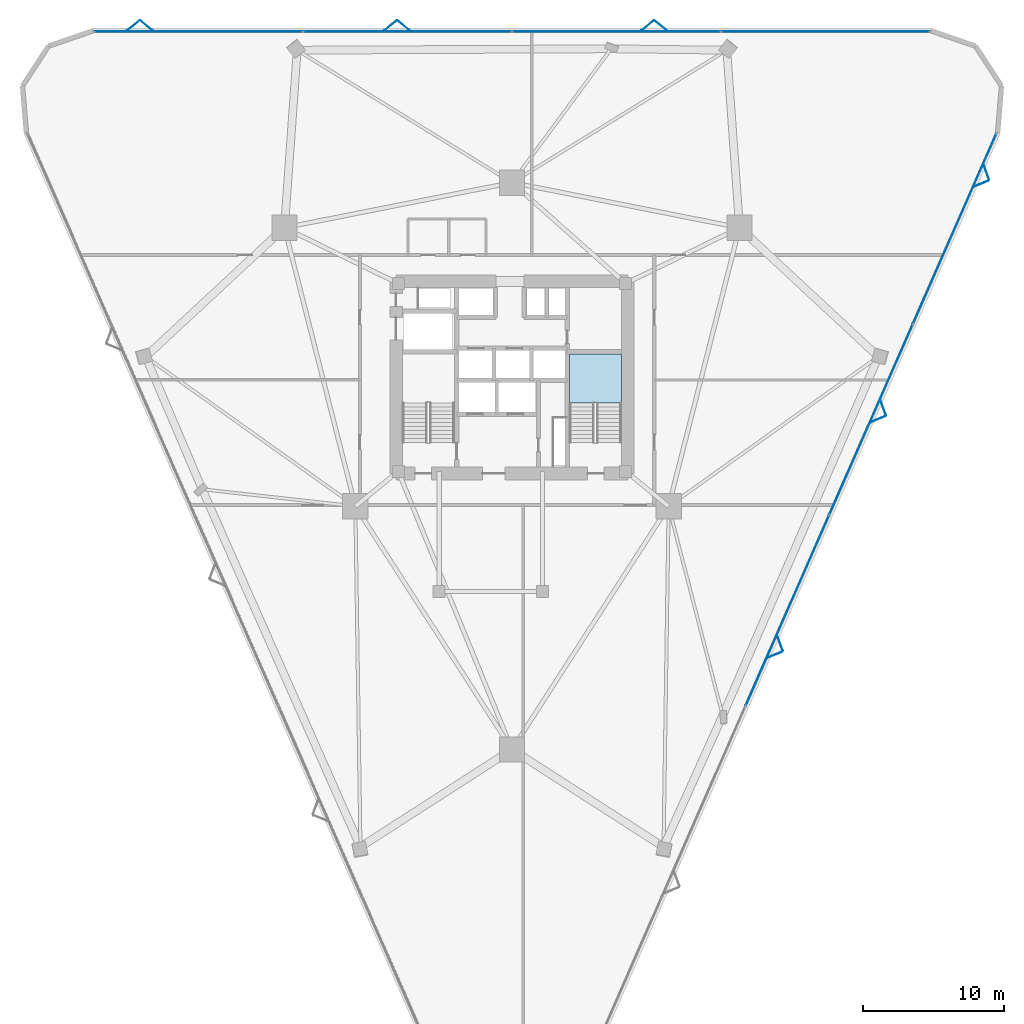
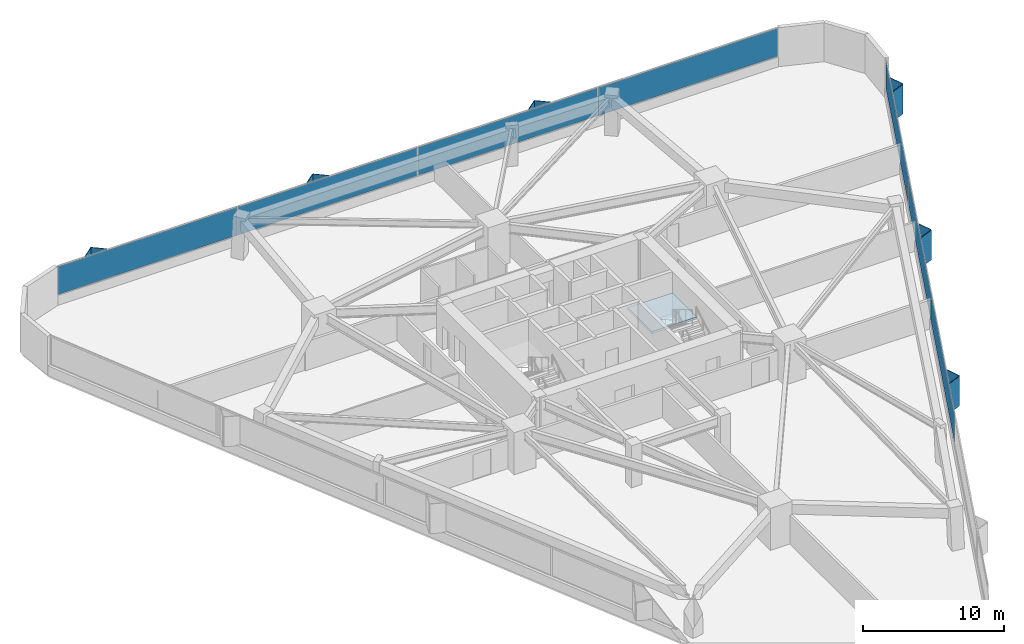
# One storey, part 16 of 20: 19 plates, 1 slab, 3 elements without a shape of their own.
"""IFC4 building model written with IfcOpenShell, lengths in metres."""

from ifc_helpers import new_model, si_unit, direction, frame, origin, origin_2d, place, context, subcontext, project, spatial, polyline, rectangle, outline, extrude, material, layer, layer_set, type_object, element, aggregate, save


model = new_model("IFC4")

# Units and contexts
model_context = context("Model", 3, precision=1e-05, world=origin(), true_north=direction((0.0, 1.0)))
body_context = subcontext(model_context, "Body", "Model", "MODEL_VIEW")
ifc_project = project(units=[si_unit("LENGTHUNIT", "METRE"), si_unit("AREAUNIT", "SQUARE_METRE"), si_unit("VOLUMEUNIT", "CUBIC_METRE"), si_unit("PLANEANGLEUNIT", "RADIAN"), si_unit("MASSUNIT", "GRAM", prefix="KILO")], contexts=[model_context])

# Site, building, storey
site_placement = place(None, origin())
site = spatial("IfcSite", under=ifc_project, at=site_placement, CompositionType="ELEMENT")
building_placement = place(site_placement, origin())
building = spatial("IfcBuilding", under=site, at=building_placement, Name="Talyreon Biosciences Tower", CompositionType="ELEMENT")
storey_placement = place(building_placement, frame((0.0, 0.0, 30.10009765625)))
storey = spatial("IfcBuildingStorey", under=building, at=storey_placement, Name="L07", CompositionType="ELEMENT", Elevation=30.10009765625)

# Curtain wall, plates
ifc_material_1 = material(Name="Thermally broken aluminium and low-E glazing", Category="aluminium")
ifc_layer_1 = layer(ifc_material_1, 0.195068359375)
ifc_layer_set_1 = layer_set([ifc_layer_1], Name="Thermally broken aluminium and low-E glazing")
curtain_wall_type = type_object("IfcCurtainWallType", Name="CurtainWall_Zone1WetLab", PredefinedType="NOTDEFINED", material=ifc_layer_set_1)
curtain_wall_1_placement = place(storey_placement, origin())
curtain_wall_1 = element("IfcCurtainWall", 1, at=curtain_wall_1_placement, inside=storey, type_object=curtain_wall_type, Name="L07 Unitised Curtain Wall FCW-L07-04", PredefinedType="NOTDEFINED")
ifc_material_2 = material(Name="Triple-silver low-E insulated glazing", Category="glass")
ifc_layer_2 = layer(ifc_material_2, 0.031982421875)
ifc_layer_set_2 = layer_set([ifc_layer_2], Name="Triple-silver low-E insulated glazing")
plate_type_1 = type_object("IfcPlateType", Name="CWGlazingPanel_32", PredefinedType="CURTAIN_PANEL", material=ifc_layer_set_2)
plate_1_placement = place(storey_placement, frame((43.8076171875, 92.474365234375, 0.874755859375), z_axis=(0.0, 0.0, 1.0), x_axis=(1.0, 0.0, 0.0)))
plate_1 = element("IfcPlate", 2, at=plate_1_placement, type_object=plate_type_1, Name="CW2 panel 1.1", PredefinedType="CURTAIN_PANEL", context=body_context, shape_type="SweptSolid", body=[
    extrude(rectangle(XDim=14.708251953125, YDim=0.031982421875, at=origin_2d()), origin(), (0.0, 0.0, 1.0), 2.43505859375),
])
plate_2_placement = place(storey_placement, frame((58.59716796875, 92.474365234375, 0.874755859375), z_axis=(0.0, 0.0, 1.0), x_axis=(1.0, 0.0, 0.0)))
plate_2 = element("IfcPlate", 3, at=plate_2_placement, type_object=plate_type_1, Name="CW2 panel 2.1", PredefinedType="CURTAIN_PANEL", context=body_context, shape_type="SweptSolid", body=[
    extrude(rectangle(XDim=14.74072265625, YDim=0.031982421875, at=origin_2d()), origin(), (0.0, 0.0, 1.0), 2.43505859375),
])
plate_3_placement = place(storey_placement, frame((73.40283203125, 92.474365234375, 0.874755859375), z_axis=(0.0, 0.0, 1.0), x_axis=(1.0, 0.0, 0.0)))
plate_3 = element("IfcPlate", 4, at=plate_3_placement, type_object=plate_type_1, Name="CW2 panel 3.1", PredefinedType="CURTAIN_PANEL", context=body_context, shape_type="SweptSolid", body=[
    extrude(rectangle(XDim=14.74072265625, YDim=0.031982421875, at=origin_2d()), origin(), (0.0, 0.0, 1.0), 2.43505859375),
])
plate_4_placement = place(storey_placement, frame((88.1923828125, 92.474365234375, 0.874755859375), z_axis=(0.0, 0.0, 1.0), x_axis=(1.0, 0.0, 0.0)))
plate_4 = element("IfcPlate", 5, at=plate_4_placement, type_object=plate_type_1, Name="CW2 panel 4.1", PredefinedType="CURTAIN_PANEL", context=body_context, shape_type="SweptSolid", body=[
    extrude(rectangle(XDim=14.708251953125, YDim=0.031982421875, at=origin_2d()), origin(), (0.0, 0.0, 1.0), 2.43505859375),
])
aggregate(curtain_wall_1, [plate_1, plate_2, plate_3, plate_4])

curtain_wall_2_placement = place(storey_placement, origin())
curtain_wall_2 = element("IfcCurtainWall", 6, at=curtain_wall_2_placement, inside=storey, type_object=curtain_wall_type, Name="L07 Unitised Curtain Wall FCW-L07-08", PredefinedType="NOTDEFINED")
plate_5_placement = place(storey_placement, frame((97.33349609375, 78.526611328125, 0.874755859375), z_axis=(0.0, 0.0, 1.0), x_axis=(-0.401345129249, -0.915926900592, 0.0)))
plate_5 = element("IfcPlate", 7, at=plate_5_placement, type_object=plate_type_1, Name="CW2 panel 1.1", PredefinedType="CURTAIN_PANEL", context=body_context, shape_type="SweptSolid", body=[
    extrude(rectangle(XDim=14.65869140625, YDim=0.031982421875, at=origin_2d()), origin(), (0.0, 0.0, 1.0), 2.43505859375),
])
plate_6_placement = place(storey_placement, frame((91.417724609375, 65.026123046875, 0.874755859375), z_axis=(0.0, 0.0, 1.0), x_axis=(-0.401345129249, -0.915926900592, 0.0)))
plate_6 = element("IfcPlate", 8, at=plate_6_placement, type_object=plate_type_1, Name="CW2 panel 2.1", PredefinedType="CURTAIN_PANEL", context=body_context, shape_type="SweptSolid", body=[
    extrude(rectangle(XDim=14.691162109375, YDim=0.031982421875, at=origin_2d()), origin(), (0.0, 0.0, 1.0), 2.43505859375),
])
plate_7_placement = place(storey_placement, frame((85.495361328125, 51.510498046875, 0.874755859375), z_axis=(0.0, 0.0, 1.0), x_axis=(-0.401345129249, -0.915926900592, 0.0)))
plate_7 = element("IfcPlate", 9, at=plate_7_placement, type_object=plate_type_1, Name="CW2 panel 3.1", PredefinedType="CURTAIN_PANEL", context=body_context, shape_type="SweptSolid", body=[
    extrude(rectangle(XDim=14.691162109375, YDim=0.031982421875, at=origin_2d()), origin(), (0.0, 0.0, 1.0), 2.43505859375),
])
aggregate(curtain_wall_2, [plate_5, plate_6, plate_7])

# Plates
ifc_material_3 = material(Name="Ivory GFRC sunshade panel", Category="concrete")
ifc_layer_3 = layer(ifc_material_3, 0.044921875)
ifc_layer_set_3 = layer_set([ifc_layer_3], Name="Ivory GFRC sunshade panel")
plate_type_2 = type_object("IfcPlateType", Name="FoldedVSunshade_NorthFace_SUNSHADE", PredefinedType="USERDEFINED", material=ifc_layer_set_3)
for number, where, z_axis, x_axis, name in (
    (10, (39.20849609375, 92.914306640625, 0.7900390625), (0.0, 0.0, 1.0), (0.771624583388, 0.636078220278, 0.0), "L07 Folded V-Sunshade Panel 04.01L"),
    (11, (40.1083984375, 92.914306640625, 0.7900390625), (0.0, 0.0, 1.0), (0.771624583388, -0.636078220278, 0.0), "L07 Folded V-Sunshade Panel 04.01R"),
    (12, (57.408447265625, 92.914306640625, 0.7900390625), (0.0, 0.0, 1.0), (0.771624583388, 0.636078220278, 0.0), "L07 Folded V-Sunshade Panel 04.02L"),
    (13, (58.30859375, 92.914306640625, 0.7900390625), (0.0, 0.0, 1.0), (0.771624583388, -0.636078220278, 0.0), "L07 Folded V-Sunshade Panel 04.02R"),
    (14, (75.6083984375, 92.914306640625, 0.7900390625), (0.0, 0.0, 1.0), (0.771624583388, 0.636078220278, 0.0), "L07 Folded V-Sunshade Panel 04.03L"),
    (15, (76.508544921875, 92.914306640625, 0.7900390625), (0.0, 0.0, 1.0), (0.771624583388, -0.636078220278, 0.0), "L07 Folded V-Sunshade Panel 04.03R"),
):
    element("IfcPlate", number, at=place(storey_placement, frame(where, z_axis=z_axis, x_axis=x_axis)), inside=storey, type_object=plate_type_2, Name=name, ObjectType="SUNSHADE", PredefinedType="USERDEFINED", context=body_context, shape_type="SweptSolid", body=[
        extrude(rectangle(XDim=1.14990234375, YDim=0.044921875, at=origin_2d()), origin(), (0.0, 0.0, 1.0), 2.5849609375),
    ])
ifc_layer_4 = layer(ifc_material_3, 0.044921875)
ifc_layer_set_4 = layer_set([ifc_layer_4], Name="Ivory GFRC sunshade panel")
plate_type_3 = type_object("IfcPlateType", Name="FoldedVSunshade_SunFace_SUNSHADE", PredefinedType="USERDEFINED", material=ifc_layer_set_4)
for number, where, z_axis, x_axis, name in (
    (16, (99.572265625, 82.539794921875, 0.7900390625), (0.0, 0.0, 1.0), (0.347557606722, -0.937658631918, 0.0), "L07 Folded V-Sunshade Panel 08.01L"),
    (17, (99.211181640625, 81.715576171875, 0.7900390625), (0.0, 0.0, 1.0), (-0.924957850064, -0.380069698351, 0.0), "L07 Folded V-Sunshade Panel 08.01R"),
    (18, (92.267822265625, 65.8701171875, 0.7900390625), (0.0, 0.0, 1.0), (0.347557606722, -0.937658631918, 0.0), "L07 Folded V-Sunshade Panel 08.02L"),
    (19, (91.906494140625, 65.045654296875, 0.7900390625), (0.0, 0.0, 1.0), (-0.924957850064, -0.380069698351, 0.0), "L07 Folded V-Sunshade Panel 08.02R"),
    (20, (84.96337890625, 49.2001953125, 0.7900390625), (0.0, 0.0, 1.0), (0.347557606722, -0.937658631918, 0.0), "L07 Folded V-Sunshade Panel 08.03L"),
    (21, (84.602294921875, 48.375732421875, 0.7900390625), (0.0, 0.0, 1.0), (-0.924957850064, -0.380069698351, 0.0), "L07 Folded V-Sunshade Panel 08.03R"),
):
    element("IfcPlate", number, at=place(storey_placement, frame(where, z_axis=z_axis, x_axis=x_axis)), inside=storey, type_object=plate_type_3, Name=name, ObjectType="SUNSHADE", PredefinedType="USERDEFINED", context=body_context, shape_type="SweptSolid", body=[
        extrude(rectangle(XDim=1.14990234375, YDim=0.044921875, at=origin_2d()), origin(), (0.0, 0.0, 1.0), 2.5849609375),
    ])

# Stair, slab
ifc_material_4 = material(Name="Concrete C40/50", Category="concrete")
stair_type = type_object("IfcStairType", Name="DoglegEscapeStair_3650", PredefinedType="HALF_TURN_STAIR", material=ifc_material_4)
stair_placement = place(storey_placement, origin())
stair = element("IfcStair", 22, at=stair_placement, inside=storey, type_object=stair_type, Name="L07 Core Escape Stair 2", PredefinedType="HALF_TURN_STAIR")
ifc_layer_5 = layer(ifc_material_4, 0.199951171875)
ifc_layer_set_5 = layer_set([ifc_layer_5], Name="Concrete C40/50")
slab_type = type_object("IfcSlabType", Name="StairLandingSlab_200", PredefinedType="LANDING", material=ifc_layer_set_5)
slab_placement = place(storey_placement, frame((0.0, 0.0, 1.625)))
slab = element("IfcSlab", 23, at=slab_placement, type_object=slab_type, Name="ST-2 landing 1", PredefinedType="LANDING", context=body_context, shape_type="SweptSolid", body=[
    extrude(outline(polyline([(73.75, 66.199951171875), (73.75, 69.64990234375), (70.070068359375, 69.64990234375), (70.070068359375, 66.199951171875), (73.75, 66.199951171875)])), origin(), (0.0, 0.0, 1.0), 0.199951171875),
])
aggregate(stair, [slab])

save(model, "model.ifc")
